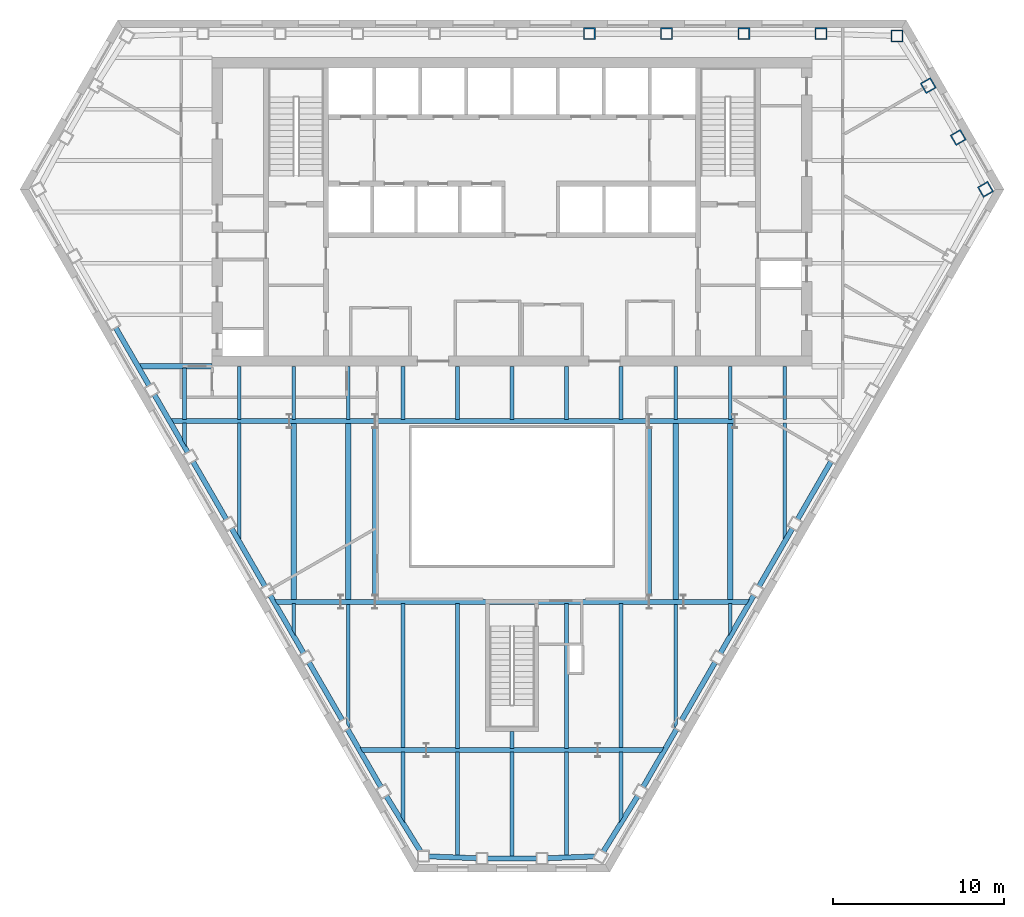
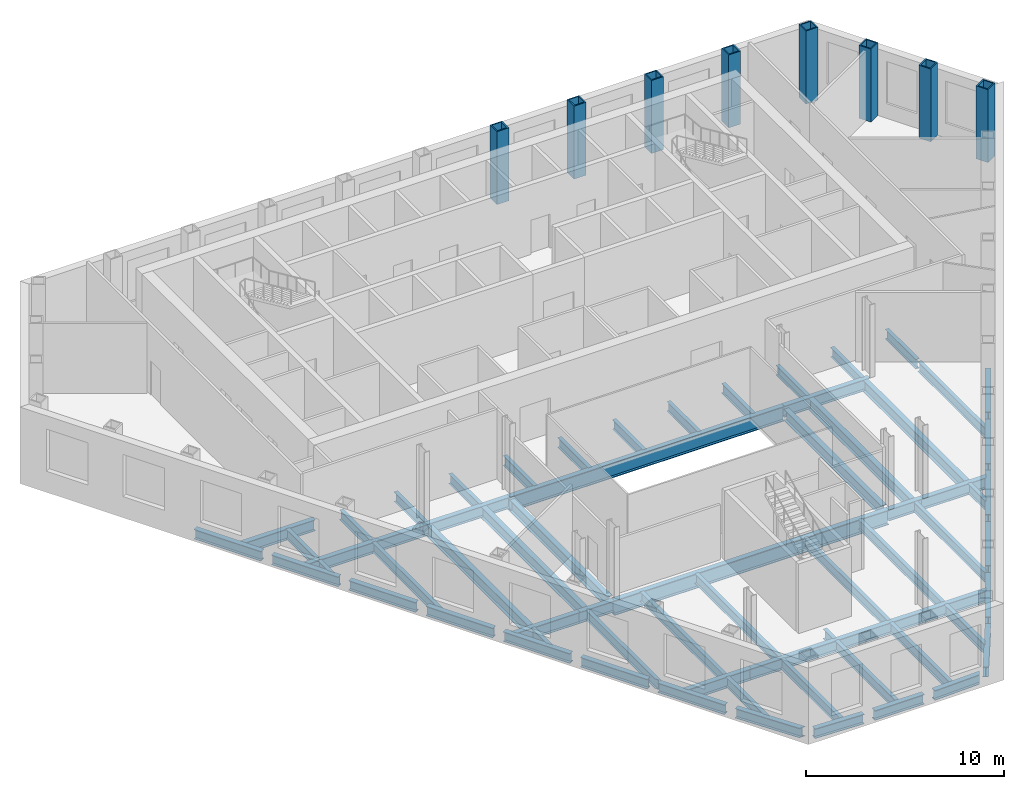
# One storey, part 2 of 10: 65 beams, 8 columns.
"""IFC4 building model written with IfcOpenShell, lengths in metres."""

from ifc_helpers import new_model, si_unit, direction, frame, origin, origin_2d, place, context, subcontext, project, spatial, hollow_rectangle, i_section, extrude, clip, halfspace, material, material_profile, profile_set, type_object, element, save


model = new_model("IFC4")

# Units and contexts
model_context = context("Model", 3, precision=1e-05, world=origin(), true_north=direction((0.0, 1.0)))
body_context = subcontext(model_context, "Body", "Model", "MODEL_VIEW")
ifc_project = project(units=[si_unit("LENGTHUNIT", "METRE"), si_unit("AREAUNIT", "SQUARE_METRE"), si_unit("VOLUMEUNIT", "CUBIC_METRE"), si_unit("PLANEANGLEUNIT", "RADIAN"), si_unit("MASSUNIT", "GRAM", prefix="KILO")], contexts=[model_context])

# Site, building, storey
site_placement = place(None, origin())
site = spatial("IfcSite", under=ifc_project, at=site_placement, CompositionType="ELEMENT")
building_placement = place(site_placement, origin())
building = spatial("IfcBuilding", under=site, at=building_placement, Name="Njiva Tower", CompositionType="ELEMENT")
storey_placement = place(building_placement, frame((0.0, 0.0, 55.8)))
storey = spatial("IfcBuildingStorey", under=building, at=storey_placement, Name="L11", CompositionType="ELEMENT", Elevation=55.8)

# Columns
ifc_material = material(Name="Steel S355 J2", Category="steel")
ifc_material_profile_1 = material_profile(ifc_material, hollow_rectangle(XDim=0.7, YDim=0.7, WallThickness=0.07, at=origin_2d()), Name="BOX 700x700x70")
ifc_profile_set_1 = profile_set([ifc_material_profile_1], Name="Steel S355 J2")
column_type = type_object("IfcColumnType", Name="C5 Perimeter tube column BOX 700x700x70", PredefinedType="COLUMN", material=ifc_profile_set_1)
for number, where, z_axis, x_axis, name in (
    (1, (22.461, 19.267, 0.0), (0.0, 0.0, 1.0), (-1.0, 0.0, 0.0), "Perimeter tube column S03-C01"),
    (2, (18.03, 19.4, 0.0), (0.0, 0.0, 1.0), (-1.0, 0.0, 0.0), "Perimeter tube column S03-C02"),
    (3, (13.523, 19.4, 0.0), (0.0, 0.0, 1.0), (-1.0, 0.0, 0.0), "Perimeter tube column S03-C03"),
    (4, (9.015, 19.4, 0.0), (0.0, 0.0, 1.0), (-1.0, 0.0, 0.0), "Perimeter tube column S03-C04"),
    (5, (4.508, 19.4, 0.0), (0.0, 0.0, 1.0), (-1.0, 0.0, 0.0), "Perimeter tube column S03-C05"),
    (6, (27.628, 10.319, 0.0), (0.0, 0.0, 1.0), (-0.5, 0.866025403784, 0.0), "Perimeter tube column S03-C37"),
    (7, (26.034, 13.346, 0.0), (0.0, 0.0, 1.0), (-0.5, 0.866025403784, 0.0), "Perimeter tube column S03-C38"),
    (8, (24.286, 16.373, 0.0), (0.0, 0.0, 1.0), (-0.5, 0.866025403784, 0.0), "Perimeter tube column S03-C39"),
):
    element("IfcColumn", number, at=place(storey_placement, frame(where, z_axis=z_axis, x_axis=x_axis)), inside=storey, type_object=column_type, Name=name, PredefinedType="COLUMN", context=body_context, shape_type="SweptSolid", body=[
        extrude(hollow_rectangle(XDim=0.7, YDim=0.7, WallThickness=0.07, at=origin_2d()), origin(), (0.0, 0.0, 1.0), 4.5),
    ])

# Beams
ifc_material_profile_2 = material_profile(ifc_material, i_section(OverallWidth=0.3, OverallDepth=0.69, WebThickness=0.0145, FlangeThickness=0.027, at=origin_2d()), Name="HEA 700")
ifc_profile_set_2 = profile_set([ifc_material_profile_2], Name="Steel S355 J2")
beam_type_1 = type_object("IfcBeamType", Name="B12 Long-span floor joist HEA 700", PredefinedType="JOIST", material=ifc_profile_set_2)
for number, where, z_axis, x_axis, name in (
    (9, (-12.733, -3.3, -0.545), (0.0, -1.0, 0.0), (1.0, 0.0, 0.0), "Long-span floor joist S03-B065"),
    (10, (-9.55, -3.3, -0.545), (0.0, -1.0, 0.0), (1.0, 0.0, 0.0), "Long-span floor joist S03-B069"),
    (11, (9.55, -3.3, -0.545), (0.0, -1.0, 0.0), (1.0, 0.0, 0.0), "Long-span floor joist S03-B088"),
    (12, (12.733, -3.3, -0.545), (0.0, -1.0, 0.0), (1.0, 0.0, 0.0), "Long-span floor joist S03-B091"),
):
    element("IfcBeam", number, at=place(storey_placement, frame(where, z_axis=z_axis, x_axis=x_axis)), inside=storey, type_object=beam_type_1, Name=name, PredefinedType="JOIST", context=body_context, shape_type="SweptSolid", body=[
        extrude(i_section(OverallWidth=0.3, OverallDepth=0.69, WebThickness=0.0145, FlangeThickness=0.027, at=origin_2d()), origin(), (0.0, 0.0, 1.0), 10.35),
    ])
ifc_material_profile_3 = material_profile(ifc_material, i_section(OverallWidth=0.22, OverallDepth=0.6, WebThickness=0.012, FlangeThickness=0.019, at=origin_2d()), Name="IPE 600")
ifc_profile_set_3 = profile_set([ifc_material_profile_3], Name="Steel S355 J2")
beam_type_2 = type_object("IfcBeamType", Name="B13 Floor joist IPE 600", PredefinedType="JOIST", material=ifc_profile_set_3)
beam_1_placement = place(storey_placement, frame((-15.917, -3.3, -0.5), z_axis=(0.0, -1.0, 0.0), x_axis=(1.0, 0.0, 0.0)))
element("IfcBeam", 13, at=beam_1_placement, inside=storey, type_object=beam_type_2, Name="Floor joist S03-B062", PredefinedType="JOIST", context=body_context, shape_type="Clipping", body=[
    clip(extrude(i_section(OverallWidth=0.22, OverallDepth=0.6, WebThickness=0.012, FlangeThickness=0.019, at=origin_2d()), origin(), (0.0, 0.0, 1.0), 6.942), halfspace(frame((-0.043, 0.0, 6.6564), z_axis=(-0.866026552831, 0.0, 0.499998009787), x_axis=(0.0, 1.0, 0.0)), False)),
])
beam_2_placement = place(storey_placement, frame((-9.55, -13.85, -0.5), z_axis=(0.0, -1.0, 0.0), x_axis=(1.0, 0.0, 0.0)))
element("IfcBeam", 14, at=beam_2_placement, inside=storey, type_object=beam_type_2, Name="Floor joist S03-B068", PredefinedType="JOIST", context=body_context, shape_type="Clipping", body=[
    clip(extrude(i_section(OverallWidth=0.22, OverallDepth=0.6, WebThickness=0.012, FlangeThickness=0.019, at=origin_2d()), origin(), (0.0, 0.0, 1.0), 7.42), halfspace(frame((-0.0433, 0.0, 7.1338), z_axis=(-0.866026552831, 0.0, 0.499998009787), x_axis=(0.0, 1.0, 0.0)), False)),
])
for number, where, z_axis, x_axis, name in (
    (15, (-6.367, -13.851, -0.5), (0.0, -1.0, 0.0), (1.0, 0.0, 0.0), "Floor joist S03-B072"),
    (16, (-3.183, -13.851, -0.5), (0.0, -1.0, 0.0), (1.0, 0.0, 0.0), "Floor joist S03-B075"),
):
    element("IfcBeam", number, at=place(storey_placement, frame(where, z_axis=z_axis, x_axis=x_axis)), inside=storey, type_object=beam_type_2, Name=name, PredefinedType="JOIST", context=body_context, shape_type="SweptSolid", body=[
        extrude(i_section(OverallWidth=0.22, OverallDepth=0.6, WebThickness=0.012, FlangeThickness=0.019, at=origin_2d()), origin(), (0.0, 0.0, 1.0), 8.449),
    ])
beam_3_placement = place(storey_placement, frame((-3.183, -22.5, -0.5), z_axis=(0.0, -1.0, 0.0), x_axis=(1.0, 0.0, 0.0)))
element("IfcBeam", 17, at=beam_3_placement, inside=storey, type_object=beam_type_2, Name="Floor joist S03-B074", PredefinedType="JOIST", context=body_context, shape_type="SweptSolid", body=[
    extrude(i_section(OverallWidth=0.22, OverallDepth=0.6, WebThickness=0.012, FlangeThickness=0.019, at=origin_2d()), origin(), (0.0, 0.0, 1.0), 6.059),
])
beam_4_placement = place(storey_placement, frame((0.0, -22.5, -0.5), z_axis=(0.0, -1.0, 0.0), x_axis=(1.0, 0.0, 0.0)))
element("IfcBeam", 18, at=beam_4_placement, inside=storey, type_object=beam_type_2, Name="Floor joist S03-B077", PredefinedType="JOIST", context=body_context, shape_type="SweptSolid", body=[
    extrude(i_section(OverallWidth=0.22, OverallDepth=0.6, WebThickness=0.012, FlangeThickness=0.019, at=origin_2d()), origin(), (0.0, 0.0, 1.0), 6.119),
])
beam_5_placement = place(storey_placement, frame((3.183, -13.851, -0.5), z_axis=(0.0, -1.0, 0.0), x_axis=(1.0, 0.0, 0.0)))
element("IfcBeam", 19, at=beam_5_placement, inside=storey, type_object=beam_type_2, Name="Floor joist S03-B081", PredefinedType="JOIST", context=body_context, shape_type="SweptSolid", body=[
    extrude(i_section(OverallWidth=0.22, OverallDepth=0.6, WebThickness=0.012, FlangeThickness=0.019, at=origin_2d()), origin(), (0.0, 0.0, 1.0), 8.449),
])
beam_6_placement = place(storey_placement, frame((3.183, -22.5, -0.5), z_axis=(0.0, -1.0, 0.0), x_axis=(1.0, 0.0, 0.0)))
element("IfcBeam", 20, at=beam_6_placement, inside=storey, type_object=beam_type_2, Name="Floor joist S03-B080", PredefinedType="JOIST", context=body_context, shape_type="SweptSolid", body=[
    extrude(i_section(OverallWidth=0.22, OverallDepth=0.6, WebThickness=0.012, FlangeThickness=0.019, at=origin_2d()), origin(), (0.0, 0.0, 1.0), 6.059),
])
beam_7_placement = place(storey_placement, frame((6.367, -13.851, -0.5), z_axis=(0.0, -1.0, 0.0), x_axis=(1.0, 0.0, 0.0)))
element("IfcBeam", 21, at=beam_7_placement, inside=storey, type_object=beam_type_2, Name="Floor joist S03-B084", PredefinedType="JOIST", context=body_context, shape_type="SweptSolid", body=[
    extrude(i_section(OverallWidth=0.22, OverallDepth=0.6, WebThickness=0.012, FlangeThickness=0.019, at=origin_2d()), origin(), (0.0, 0.0, 1.0), 8.449),
])
beam_8_placement = place(storey_placement, frame((9.55, -13.85, -0.5), z_axis=(0.0, -1.0, 0.0), x_axis=(1.0, 0.0, 0.0)))
element("IfcBeam", 22, at=beam_8_placement, inside=storey, type_object=beam_type_2, Name="Floor joist S03-B087", PredefinedType="JOIST", context=body_context, shape_type="Clipping", body=[
    clip(extrude(i_section(OverallWidth=0.22, OverallDepth=0.6, WebThickness=0.012, FlangeThickness=0.019, at=origin_2d()), origin(), (0.0, 0.0, 1.0), 7.42), halfspace(frame((0.0433, 0.0, 7.1338), z_axis=(0.866026552831, 0.0, 0.499998009787), x_axis=(0.0, 1.0, 0.0)), False)),
])
beam_9_placement = place(storey_placement, frame((15.917, -3.3, -0.5), z_axis=(0.0, -1.0, 0.0), x_axis=(1.0, 0.0, 0.0)))
element("IfcBeam", 23, at=beam_9_placement, inside=storey, type_object=beam_type_2, Name="Floor joist S03-B093", PredefinedType="JOIST", context=body_context, shape_type="Clipping", body=[
    clip(extrude(i_section(OverallWidth=0.22, OverallDepth=0.6, WebThickness=0.012, FlangeThickness=0.019, at=origin_2d()), origin(), (0.0, 0.0, 1.0), 6.942), halfspace(frame((0.043, 0.0, 6.6564), z_axis=(0.866026552831, 0.0, 0.499998009787), x_axis=(0.0, 1.0, 0.0)), False)),
])
ifc_material_profile_4 = material_profile(ifc_material, i_section(OverallWidth=0.22, OverallDepth=0.6, WebThickness=0.012, FlangeThickness=0.019, at=origin_2d()), Name="IPE 600")
ifc_profile_set_4 = profile_set([ifc_material_profile_4], Name="Steel S355 J2")
beam_type_3 = type_object("IfcBeamType", Name="B14 Short-span floor joist IPE 600", PredefinedType="JOIST", material=ifc_profile_set_4)
beam_10_placement = place(storey_placement, frame((-19.1, -0.1, -0.5), z_axis=(0.0, -1.0, 0.0), x_axis=(1.0, 0.0, 0.0)))
element("IfcBeam", 24, at=beam_10_placement, inside=storey, type_object=beam_type_3, Name="Short-span floor joist S03-B061", PredefinedType="JOIST", context=body_context, shape_type="SweptSolid", body=[
    extrude(i_section(OverallWidth=0.22, OverallDepth=0.6, WebThickness=0.012, FlangeThickness=0.019, at=origin_2d()), origin(), (0.0, 0.0, 1.0), 3.0),
])
beam_11_placement = place(storey_placement, frame((-19.1, -3.3, -0.5), z_axis=(0.0, -1.0, 0.0), x_axis=(1.0, 0.0, 0.0)))
element("IfcBeam", 25, at=beam_11_placement, inside=storey, type_object=beam_type_3, Name="Short-span floor joist S03-B060", PredefinedType="JOIST", context=body_context, shape_type="Clipping", body=[
    clip(extrude(i_section(OverallWidth=0.22, OverallDepth=0.6, WebThickness=0.012, FlangeThickness=0.019, at=origin_2d()), origin(), (0.0, 0.0, 1.0), 1.429), halfspace(frame((-0.0433, 0.0, 1.1427), z_axis=(-0.866026552831, 0.0, 0.499998009787), x_axis=(0.0, 1.0, 0.0)), False)),
])
for number, where, z_axis, x_axis, name in (
    (26, (-15.917, -0.005, -0.5), (0.0, -1.0, 0.0), (1.0, 0.0, 0.0), "Short-span floor joist S03-B063"),
    (27, (-12.733, -0.005, -0.5), (0.0, -1.0, 0.0), (1.0, 0.0, 0.0), "Short-span floor joist S03-B066"),
):
    element("IfcBeam", number, at=place(storey_placement, frame(where, z_axis=z_axis, x_axis=x_axis)), inside=storey, type_object=beam_type_3, Name=name, PredefinedType="JOIST", context=body_context, shape_type="SweptSolid", body=[
        extrude(i_section(OverallWidth=0.22, OverallDepth=0.6, WebThickness=0.012, FlangeThickness=0.019, at=origin_2d()), origin(), (0.0, 0.0, 1.0), 3.095),
    ])
beam_12_placement = place(storey_placement, frame((-12.733, -13.85, -0.5), z_axis=(0.0, -1.0, 0.0), x_axis=(1.0, 0.0, 0.0)))
element("IfcBeam", 28, at=beam_12_placement, inside=storey, type_object=beam_type_3, Name="Short-span floor joist S03-B064", PredefinedType="JOIST", context=body_context, shape_type="Clipping", body=[
    clip(extrude(i_section(OverallWidth=0.22, OverallDepth=0.6, WebThickness=0.012, FlangeThickness=0.019, at=origin_2d()), origin(), (0.0, 0.0, 1.0), 1.906), halfspace(frame((-0.0436, 0.0, 1.6201), z_axis=(-0.866026552831, 0.0, 0.499998009787), x_axis=(0.0, 1.0, 0.0)), False)),
])
beam_13_placement = place(storey_placement, frame((-9.55, -0.005, -0.5), z_axis=(0.0, -1.0, 0.0), x_axis=(1.0, 0.0, 0.0)))
element("IfcBeam", 29, at=beam_13_placement, inside=storey, type_object=beam_type_3, Name="Short-span floor joist S03-B070", PredefinedType="JOIST", context=body_context, shape_type="SweptSolid", body=[
    extrude(i_section(OverallWidth=0.22, OverallDepth=0.6, WebThickness=0.012, FlangeThickness=0.019, at=origin_2d()), origin(), (0.0, 0.0, 1.0), 3.095),
])
beam_14_placement = place(storey_placement, frame((-6.367, -0.005, -0.5), z_axis=(0.0, -1.0, 0.0), x_axis=(1.0, 0.0, 0.0)))
element("IfcBeam", 30, at=beam_14_placement, inside=storey, type_object=beam_type_3, Name="Short-span floor joist S03-B073", PredefinedType="JOIST", context=body_context, shape_type="SweptSolid", body=[
    extrude(i_section(OverallWidth=0.22, OverallDepth=0.6, WebThickness=0.012, FlangeThickness=0.019, at=origin_2d()), origin(), (0.0, 0.0, 1.0), 3.094),
])
beam_15_placement = place(storey_placement, frame((-6.367, -22.5, -0.5), z_axis=(0.0, -1.0, 0.0), x_axis=(1.0, 0.0, 0.0)))
element("IfcBeam", 31, at=beam_15_placement, inside=storey, type_object=beam_type_3, Name="Short-span floor joist S03-B071", PredefinedType="JOIST", context=body_context, shape_type="Clipping", body=[
    clip(extrude(i_section(OverallWidth=0.22, OverallDepth=0.6, WebThickness=0.012, FlangeThickness=0.019, at=origin_2d()), origin(), (0.0, 0.0, 1.0), 4.151), halfspace(frame((-0.0422, 0.0, 3.8844), z_axis=(-0.850620428373, 0.0, 0.525780264783), x_axis=(0.0, 1.0, 0.0)), False)),
])
for number, where, z_axis, x_axis, name in (
    (32, (-3.183, -0.005, -0.5), (0.0, -1.0, 0.0), (1.0, 0.0, 0.0), "Short-span floor joist S03-B076"),
    (33, (0.0, -0.005, -0.5), (0.0, -1.0, 0.0), (1.0, 0.0, 0.0), "Short-span floor joist S03-B079"),
):
    element("IfcBeam", number, at=place(storey_placement, frame(where, z_axis=z_axis, x_axis=x_axis)), inside=storey, type_object=beam_type_3, Name=name, PredefinedType="JOIST", context=body_context, shape_type="SweptSolid", body=[
        extrude(i_section(OverallWidth=0.22, OverallDepth=0.6, WebThickness=0.012, FlangeThickness=0.019, at=origin_2d()), origin(), (0.0, 0.0, 1.0), 3.094),
    ])
beam_16_placement = place(storey_placement, frame((0.0, -21.3, -0.5), z_axis=(0.0, -1.0, 0.0), x_axis=(1.0, 0.0, 0.0)))
element("IfcBeam", 34, at=beam_16_placement, inside=storey, type_object=beam_type_3, Name="Short-span floor joist S03-B078", PredefinedType="JOIST", context=body_context, shape_type="SweptSolid", body=[
    extrude(i_section(OverallWidth=0.22, OverallDepth=0.6, WebThickness=0.012, FlangeThickness=0.019, at=origin_2d()), origin(), (0.0, 0.0, 1.0), 1.0),
])
for number, where, z_axis, x_axis, name in (
    (35, (3.183, -0.005, -0.5), (0.0, -1.0, 0.0), (1.0, 0.0, 0.0), "Short-span floor joist S03-B082"),
    (36, (6.367, -0.005, -0.5), (0.0, -1.0, 0.0), (1.0, 0.0, 0.0), "Short-span floor joist S03-B085"),
):
    element("IfcBeam", number, at=place(storey_placement, frame(where, z_axis=z_axis, x_axis=x_axis)), inside=storey, type_object=beam_type_3, Name=name, PredefinedType="JOIST", context=body_context, shape_type="SweptSolid", body=[
        extrude(i_section(OverallWidth=0.22, OverallDepth=0.6, WebThickness=0.012, FlangeThickness=0.019, at=origin_2d()), origin(), (0.0, 0.0, 1.0), 3.094),
    ])
beam_17_placement = place(storey_placement, frame((6.367, -22.5, -0.5), z_axis=(0.0, -1.0, 0.0), x_axis=(1.0, 0.0, 0.0)))
element("IfcBeam", 37, at=beam_17_placement, inside=storey, type_object=beam_type_3, Name="Short-span floor joist S03-B083", PredefinedType="JOIST", context=body_context, shape_type="Clipping", body=[
    clip(extrude(i_section(OverallWidth=0.22, OverallDepth=0.6, WebThickness=0.012, FlangeThickness=0.019, at=origin_2d()), origin(), (0.0, 0.0, 1.0), 4.151), halfspace(frame((0.0422, 0.0, 3.8844), z_axis=(0.850620428373, 0.0, 0.525780264783), x_axis=(0.0, 1.0, 0.0)), False)),
])
for number, where, z_axis, x_axis, name in (
    (38, (9.55, -0.005, -0.5), (0.0, -1.0, 0.0), (1.0, 0.0, 0.0), "Short-span floor joist S03-B089"),
    (39, (12.733, -0.005, -0.5), (0.0, -1.0, 0.0), (1.0, 0.0, 0.0), "Short-span floor joist S03-B092"),
):
    element("IfcBeam", number, at=place(storey_placement, frame(where, z_axis=z_axis, x_axis=x_axis)), inside=storey, type_object=beam_type_3, Name=name, PredefinedType="JOIST", context=body_context, shape_type="SweptSolid", body=[
        extrude(i_section(OverallWidth=0.22, OverallDepth=0.6, WebThickness=0.012, FlangeThickness=0.019, at=origin_2d()), origin(), (0.0, 0.0, 1.0), 3.095),
    ])
beam_18_placement = place(storey_placement, frame((12.733, -13.85, -0.5), z_axis=(0.0, -1.0, 0.0), x_axis=(1.0, 0.0, 0.0)))
element("IfcBeam", 40, at=beam_18_placement, inside=storey, type_object=beam_type_3, Name="Short-span floor joist S03-B090", PredefinedType="JOIST", context=body_context, shape_type="Clipping", body=[
    clip(extrude(i_section(OverallWidth=0.22, OverallDepth=0.6, WebThickness=0.012, FlangeThickness=0.019, at=origin_2d()), origin(), (0.0, 0.0, 1.0), 1.906), halfspace(frame((0.0436, 0.0, 1.6201), z_axis=(0.866026552831, 0.0, 0.499998009787), x_axis=(0.0, 1.0, 0.0)), False)),
])
beam_19_placement = place(storey_placement, frame((15.917, -0.005, -0.5), z_axis=(0.0, -1.0, 0.0), x_axis=(1.0, 0.0, 0.0)))
element("IfcBeam", 41, at=beam_19_placement, inside=storey, type_object=beam_type_3, Name="Short-span floor joist S03-B094", PredefinedType="JOIST", context=body_context, shape_type="SweptSolid", body=[
    extrude(i_section(OverallWidth=0.22, OverallDepth=0.6, WebThickness=0.012, FlangeThickness=0.019, at=origin_2d()), origin(), (0.0, 0.0, 1.0), 3.095),
])
ifc_material_profile_5 = material_profile(ifc_material, i_section(OverallWidth=0.3, OverallDepth=0.69, WebThickness=0.0145, FlangeThickness=0.027, at=origin_2d()), Name="HEA 700")
ifc_profile_set_5 = profile_set([ifc_material_profile_5], Name="Steel S355 J2")
beam_type_4 = type_object("IfcBeamType", Name="B15 Floor girder HEA 700", PredefinedType="BEAM", material=ifc_profile_set_5)
beam_20_placement = place(storey_placement, frame((-19.968, -3.2, -0.545), z_axis=(1.0, 0.0, 0.0), x_axis=(0.0, 1.0, 0.0)))
element("IfcBeam", 42, at=beam_20_placement, inside=storey, type_object=beam_type_4, Name="Floor girder S03-B016", PredefinedType="BEAM", context=body_context, shape_type="Clipping", body=[
    clip(extrude(i_section(OverallWidth=0.3, OverallDepth=0.69, WebThickness=0.0145, FlangeThickness=0.027, at=origin_2d()), origin(), (0.0, 0.0, 1.0), 6.968), halfspace(frame((-0.025, 0.0, 0.1217), z_axis=(-0.499998009787, 0.0, -0.866026552831), x_axis=(0.0, -1.0, 0.0)), False)),
])
for number, where, z_axis, x_axis, name in (
    (43, (-13.0, -3.2, -0.545), (1.0, 0.0, 0.0), (0.0, 1.0, 0.0), "Floor girder S03-B018"),
    (44, (8.0, -3.2, -0.545), (1.0, 0.0, 0.0), (0.0, 1.0, 0.0), "Floor girder S03-B024"),
):
    element("IfcBeam", number, at=place(storey_placement, frame(where, z_axis=z_axis, x_axis=x_axis)), inside=storey, type_object=beam_type_4, Name=name, PredefinedType="BEAM", context=body_context, shape_type="SweptSolid", body=[
        extrude(i_section(OverallWidth=0.3, OverallDepth=0.69, WebThickness=0.0145, FlangeThickness=0.027, at=origin_2d()), origin(), (0.0, 0.0, 1.0), 5.0),
    ])
ifc_material_profile_6 = material_profile(ifc_material, i_section(OverallWidth=0.3, OverallDepth=0.69, WebThickness=0.0145, FlangeThickness=0.027, at=origin_2d()), Name="HEA 700")
ifc_profile_set_6 = profile_set([ifc_material_profile_6], Name="Steel S355 J2")
beam_type_5 = type_object("IfcBeamType", Name="B16 Short-span floor girder HEA 700", PredefinedType="BEAM", material=ifc_profile_set_6)
beam_21_placement = place(storey_placement, frame((-13.877, -13.75, -0.545), z_axis=(1.0, 0.0, 0.0), x_axis=(0.0, 1.0, 0.0)))
element("IfcBeam", 45, at=beam_21_placement, inside=storey, type_object=beam_type_5, Name="Short-span floor girder S03-B017", PredefinedType="BEAM", context=body_context, shape_type="Clipping", body=[
    clip(extrude(i_section(OverallWidth=0.3, OverallDepth=0.69, WebThickness=0.0145, FlangeThickness=0.027, at=origin_2d()), origin(), (0.0, 0.0, 1.0), 3.877), halfspace(frame((-0.025, 0.0, 0.1217), z_axis=(-0.499998009787, 0.0, -0.866026552831), x_axis=(0.0, -1.0, 0.0)), False)),
])
for number, where, z_axis, x_axis, name in (
    (46, (-10.0, -13.75, -0.545), (1.0, 0.0, 0.0), (0.0, 1.0, 0.0), "Short-span floor girder S03-B019"),
    (47, (8.0, -13.75, -0.545), (1.0, 0.0, 0.0), (0.0, 1.0, 0.0), "Short-span floor girder S03-B023"),
):
    element("IfcBeam", number, at=place(storey_placement, frame(where, z_axis=z_axis, x_axis=x_axis)), inside=storey, type_object=beam_type_5, Name=name, PredefinedType="BEAM", context=body_context, shape_type="SweptSolid", body=[
        extrude(i_section(OverallWidth=0.3, OverallDepth=0.69, WebThickness=0.0145, FlangeThickness=0.027, at=origin_2d()), origin(), (0.0, 0.0, 1.0), 2.0),
    ])
beam_22_placement = place(storey_placement, frame((10.0, -13.75, -0.545), z_axis=(1.0, 0.0, 0.0), x_axis=(0.0, 1.0, 0.0)))
element("IfcBeam", 48, at=beam_22_placement, inside=storey, type_object=beam_type_5, Name="Short-span floor girder S03-B025", PredefinedType="BEAM", context=body_context, shape_type="Clipping", body=[
    clip(extrude(i_section(OverallWidth=0.3, OverallDepth=0.69, WebThickness=0.0145, FlangeThickness=0.027, at=origin_2d()), origin(), (0.0, 0.0, 1.0), 3.877), halfspace(frame((-0.025, 0.0, 3.7553), z_axis=(-0.499998009787, 0.0, 0.866026552831), x_axis=(0.0, 1.0, 0.0)), False)),
])
beam_23_placement = place(storey_placement, frame((-8.883, -22.4, -0.545), z_axis=(1.0, 0.0, 0.0), x_axis=(0.0, 1.0, 0.0)))
element("IfcBeam", 49, at=beam_23_placement, inside=storey, type_object=beam_type_5, Name="Short-span floor girder S03-B020", PredefinedType="BEAM", context=body_context, shape_type="Clipping", body=[
    clip(extrude(i_section(OverallWidth=0.3, OverallDepth=0.69, WebThickness=0.0145, FlangeThickness=0.027, at=origin_2d()), origin(), (0.0, 0.0, 1.0), 3.883), halfspace(frame((-0.025, 0.0, 0.1218), z_axis=(-0.499998009787, 0.0, -0.866026552831), x_axis=(0.0, -1.0, 0.0)), False)),
])
beam_24_placement = place(storey_placement, frame((5.0, -22.4, -0.545), z_axis=(1.0, 0.0, 0.0), x_axis=(0.0, 1.0, 0.0)))
element("IfcBeam", 50, at=beam_24_placement, inside=storey, type_object=beam_type_5, Name="Short-span floor girder S03-B022", PredefinedType="BEAM", context=body_context, shape_type="Clipping", body=[
    clip(extrude(i_section(OverallWidth=0.3, OverallDepth=0.69, WebThickness=0.0145, FlangeThickness=0.027, at=origin_2d()), origin(), (0.0, 0.0, 1.0), 3.883), halfspace(frame((-0.025, 0.0, 3.7612), z_axis=(-0.499998009787, 0.0, 0.866026552831), x_axis=(0.0, 1.0, 0.0)), False)),
])
beam_25_placement = place(storey_placement, frame((-21.815, 0.0, -0.545), z_axis=(1.0, 0.0, 0.0), x_axis=(0.0, 1.0, 0.0)))
element("IfcBeam", 51, at=beam_25_placement, inside=storey, type_object=beam_type_5, Name="Short-span floor girder S03-B015", PredefinedType="BEAM", context=body_context, shape_type="Clipping", body=[
    clip(extrude(i_section(OverallWidth=0.3, OverallDepth=0.69, WebThickness=0.0145, FlangeThickness=0.027, at=origin_2d()), origin(), (0.0, 0.0, 1.0), 4.315), halfspace(frame((-0.025, 0.0, 0.1211), z_axis=(-0.499998009787, 0.0, -0.866026552831), x_axis=(0.0, -1.0, 0.0)), False)),
])
ifc_material_profile_7 = material_profile(ifc_material, i_section(OverallWidth=0.3, OverallDepth=0.69, WebThickness=0.0145, FlangeThickness=0.027, at=origin_2d()), Name="HEA 700")
ifc_profile_set_7 = profile_set([ifc_material_profile_7], Name="Steel S355 J2")
beam_type_6 = type_object("IfcBeamType", Name="B17 Long-span floor girder HEA 700", PredefinedType="BEAM", material=ifc_profile_set_7)
beam_26_placement = place(storey_placement, frame((-5.0, -22.4, -0.545), z_axis=(1.0, 0.0, 0.0), x_axis=(0.0, 1.0, 0.0)))
element("IfcBeam", 52, at=beam_26_placement, inside=storey, type_object=beam_type_6, Name="Long-span floor girder S03-B021", PredefinedType="BEAM", context=body_context, shape_type="SweptSolid", body=[
    extrude(i_section(OverallWidth=0.3, OverallDepth=0.69, WebThickness=0.0145, FlangeThickness=0.027, at=origin_2d()), origin(), (0.0, 0.0, 1.0), 10.0),
])
ifc_material_profile_8 = material_profile(ifc_material, i_section(OverallWidth=0.3, OverallDepth=0.69, WebThickness=0.0145, FlangeThickness=0.027, at=origin_2d()), Name="HEA 700")
ifc_profile_set_8 = profile_set([ifc_material_profile_8], Name="Steel S355 J2")
beam_type_7 = type_object("IfcBeamType", Name="B18 Long-span atrium trimmer beam HEA 700", PredefinedType="BEAM", material=ifc_profile_set_8)
for number, where, z_axis, x_axis, name in (
    (53, (8.0, -13.393, -0.545), (0.0, 1.0, 0.0), (-1.0, 0.0, 0.0), "Long-span atrium trimmer beam S03-B102"),
    (54, (-8.0, -3.557, -0.545), (0.0, -1.0, 0.0), (1.0, 0.0, 0.0), "Long-span atrium trimmer beam S03-B099"),
):
    element("IfcBeam", number, at=place(storey_placement, frame(where, z_axis=z_axis, x_axis=x_axis)), inside=storey, type_object=beam_type_7, Name=name, PredefinedType="BEAM", context=body_context, shape_type="SweptSolid", body=[
        extrude(i_section(OverallWidth=0.3, OverallDepth=0.69, WebThickness=0.0145, FlangeThickness=0.027, at=origin_2d()), origin(), (0.0, 0.0, 1.0), 9.836),
    ])
ifc_material_profile_9 = material_profile(ifc_material, i_section(OverallWidth=0.3, OverallDepth=0.6, WebThickness=0.0155, FlangeThickness=0.03, at=origin_2d()), Name="HEB 600")
ifc_profile_set_9 = profile_set([ifc_material_profile_9], Name="Steel S355 J2")
beam_type_8 = type_object("IfcBeamType", Name="B3 Short-span spandrel beam HEB 600", PredefinedType="SPANDREL", material=ifc_profile_set_9)
beam_27_placement = place(storey_placement, frame((-23.124, 2.251, -0.5), z_axis=(0.500047346826, -0.865998066356, 0.0), x_axis=(0.865998066356, 0.500047346826, 0.0)))
element("IfcBeam", 55, at=beam_27_placement, inside=storey, type_object=beam_type_8, Name="Short-span spandrel beam S03-B113", PredefinedType="SPANDREL", context=body_context, shape_type="SweptSolid", body=[
    extrude(i_section(OverallWidth=0.3, OverallDepth=0.6, WebThickness=0.0155, FlangeThickness=0.03, at=origin_2d()), origin(), (0.0, 0.0, 1.0), 3.9076),
])
beam_28_placement = place(storey_placement, frame((-20.87, -1.653, -0.5), z_axis=(0.500158186394, -0.865934055563, 0.0), x_axis=(0.865934055563, 0.500158186394, 0.0)))
element("IfcBeam", 56, at=beam_28_placement, inside=storey, type_object=beam_type_8, Name="Short-span spandrel beam S03-B117", PredefinedType="SPANDREL", context=body_context, shape_type="SweptSolid", body=[
    extrude(i_section(OverallWidth=0.3, OverallDepth=0.6, WebThickness=0.0155, FlangeThickness=0.03, at=origin_2d()), origin(), (0.0, 0.0, 1.0), 3.9068),
])
for number, where, z_axis, x_axis, name in (
    (57, (-18.616, -5.556, -0.5), (0.500047346826, -0.865998066356, 0.0), (0.865998066356, 0.500047346826, 0.0), "Short-span spandrel beam S03-B119"),
    (58, (-16.362, -9.46, -0.5), (0.500047346826, -0.865998066356, 0.0), (0.865998066356, 0.500047346826, 0.0), "Short-span spandrel beam S03-B123"),
):
    element("IfcBeam", number, at=place(storey_placement, frame(where, z_axis=z_axis, x_axis=x_axis)), inside=storey, type_object=beam_type_8, Name=name, PredefinedType="SPANDREL", context=body_context, shape_type="SweptSolid", body=[
        extrude(i_section(OverallWidth=0.3, OverallDepth=0.6, WebThickness=0.0155, FlangeThickness=0.03, at=origin_2d()), origin(), (0.0, 0.0, 1.0), 3.9076),
    ])
beam_29_placement = place(storey_placement, frame((-14.108, -13.364, -0.5), z_axis=(0.499966215292, -0.866044908516, 0.0), x_axis=(0.866044908516, 0.499966215292, 0.0)))
element("IfcBeam", 59, at=beam_29_placement, inside=storey, type_object=beam_type_8, Name="Short-span spandrel beam S03-B125", PredefinedType="SPANDREL", context=body_context, shape_type="SweptSolid", body=[
    extrude(i_section(OverallWidth=0.3, OverallDepth=0.6, WebThickness=0.0155, FlangeThickness=0.03, at=origin_2d()), origin(), (0.0, 0.0, 1.0), 3.9063),
])
for number, where, z_axis, x_axis, name in (
    (60, (-11.855, -17.267, -0.5), (0.500047346826, -0.865998066356, 0.0), (0.865998066356, 0.500047346826, 0.0), "Short-span spandrel beam S03-B129"),
    (61, (-9.601, -21.171, -0.5), (0.500047346826, -0.865998066356, 0.0), (0.865998066356, 0.500047346826, 0.0), "Short-span spandrel beam S03-B131"),
):
    element("IfcBeam", number, at=place(storey_placement, frame(where, z_axis=z_axis, x_axis=x_axis)), inside=storey, type_object=beam_type_8, Name=name, PredefinedType="SPANDREL", context=body_context, shape_type="SweptSolid", body=[
        extrude(i_section(OverallWidth=0.3, OverallDepth=0.6, WebThickness=0.0155, FlangeThickness=0.03, at=origin_2d()), origin(), (0.0, 0.0, 1.0), 3.9076),
    ])
beam_30_placement = place(storey_placement, frame((-7.337, -25.073, -0.5), z_axis=(0.525707123984, -0.850665633368, 0.0), x_axis=(0.850665633368, 0.525707123984, 0.0)))
element("IfcBeam", 62, at=beam_30_placement, inside=storey, type_object=beam_type_8, Name="Short-span spandrel beam S03-B134", PredefinedType="SPANDREL", context=body_context, shape_type="Clipping", body=[
    clip(extrude(i_section(OverallWidth=0.3, OverallDepth=0.6, WebThickness=0.0155, FlangeThickness=0.03, at=origin_2d()), origin(), (0.0, 0.0, 1.0), 3.8889), halfspace(frame((-0.0263, 0.0, 3.7596), z_axis=(-0.525707123984, 0.0, 0.850665633368), x_axis=(0.0, 1.0, 0.0)), False)),
])
beam_31_placement = place(storey_placement, frame((-4.861, -28.597, -0.5), z_axis=(0.999233589101, -0.039143765955, 0.0), x_axis=(0.039143765955, 0.999233589101, 0.0)))
element("IfcBeam", 63, at=beam_31_placement, inside=storey, type_object=beam_type_8, Name="Short-span spandrel beam S03-B137", PredefinedType="SPANDREL", context=body_context, shape_type="SweptSolid", body=[
    extrude(i_section(OverallWidth=0.3, OverallDepth=0.6, WebThickness=0.0155, FlangeThickness=0.03, at=origin_2d()), origin(), (0.0, 0.0, 1.0), 2.8102),
])
beam_32_placement = place(storey_placement, frame((-1.448, -28.719, -0.5), z_axis=(1.0, 0.0, 0.0), x_axis=(0.0, 1.0, 0.0)))
element("IfcBeam", 64, at=beam_32_placement, inside=storey, type_object=beam_type_8, Name="Short-span spandrel beam S03-B140", PredefinedType="SPANDREL", context=body_context, shape_type="SweptSolid", body=[
    extrude(i_section(OverallWidth=0.3, OverallDepth=0.6, WebThickness=0.0155, FlangeThickness=0.03, at=origin_2d()), origin(), (0.0, 0.0, 1.0), 2.896),
])
beam_33_placement = place(storey_placement, frame((2.053, -28.707, -0.5), z_axis=(0.999234174403, 0.039128821913, 0.0), x_axis=(-0.039128821913, 0.999234174403, 0.0)))
element("IfcBeam", 65, at=beam_33_placement, inside=storey, type_object=beam_type_8, Name="Short-span spandrel beam S03-B142", PredefinedType="SPANDREL", context=body_context, shape_type="Clipping", body=[
    clip(extrude(i_section(OverallWidth=0.3, OverallDepth=0.6, WebThickness=0.0155, FlangeThickness=0.03, at=origin_2d()), origin(), (0.0, 0.0, 1.0), 2.8751), halfspace(frame((-0.0269, 0.0, 2.7436), z_axis=(-0.53350169727, 0.0, 0.845798994448), x_axis=(0.0, 1.0, 0.0)), False)),
])
beam_34_placement = place(storey_placement, frame((5.326, -28.327, -0.5), z_axis=(0.525715487097, 0.850660464949, 0.0), x_axis=(-0.850660464949, 0.525715487097, 0.0)))
element("IfcBeam", 66, at=beam_34_placement, inside=storey, type_object=beam_type_8, Name="Short-span spandrel beam S03-B146", PredefinedType="SPANDREL", context=body_context, shape_type="SweptSolid", body=[
    extrude(i_section(OverallWidth=0.3, OverallDepth=0.6, WebThickness=0.0155, FlangeThickness=0.03, at=origin_2d()), origin(), (0.0, 0.0, 1.0), 3.8253),
])
for number, where, z_axis, x_axis, name in (
    (67, (7.647, -24.555, -0.5), (0.500047346826, 0.865998066356, 0.0), (-0.865998066356, 0.500047346826, 0.0), "Short-span spandrel beam S03-B148"),
    (68, (9.901, -20.651, -0.5), (0.500047346826, 0.865998066356, 0.0), (-0.865998066356, 0.500047346826, 0.0), "Short-span spandrel beam S03-B152"),
):
    element("IfcBeam", number, at=place(storey_placement, frame(where, z_axis=z_axis, x_axis=x_axis)), inside=storey, type_object=beam_type_8, Name=name, PredefinedType="SPANDREL", context=body_context, shape_type="SweptSolid", body=[
        extrude(i_section(OverallWidth=0.3, OverallDepth=0.6, WebThickness=0.0155, FlangeThickness=0.03, at=origin_2d()), origin(), (0.0, 0.0, 1.0), 3.9076),
    ])
beam_35_placement = place(storey_placement, frame((12.155, -16.747, -0.5), z_axis=(0.499966215292, 0.866044908516, 0.0), x_axis=(-0.866044908516, 0.499966215292, 0.0)))
element("IfcBeam", 69, at=beam_35_placement, inside=storey, type_object=beam_type_8, Name="Short-span spandrel beam S03-B154", PredefinedType="SPANDREL", context=body_context, shape_type="SweptSolid", body=[
    extrude(i_section(OverallWidth=0.3, OverallDepth=0.6, WebThickness=0.0155, FlangeThickness=0.03, at=origin_2d()), origin(), (0.0, 0.0, 1.0), 3.9063),
])
for number, where, z_axis, x_axis, name in (
    (70, (14.408, -12.844, -0.5), (0.500047346826, 0.865998066356, 0.0), (-0.865998066356, 0.500047346826, 0.0), "Short-span spandrel beam S03-B158"),
    (71, (16.662, -8.94, -0.5), (0.500047346826, 0.865998066356, 0.0), (-0.865998066356, 0.500047346826, 0.0), "Short-span spandrel beam S03-B160"),
):
    element("IfcBeam", number, at=place(storey_placement, frame(where, z_axis=z_axis, x_axis=x_axis)), inside=storey, type_object=beam_type_8, Name=name, PredefinedType="SPANDREL", context=body_context, shape_type="SweptSolid", body=[
        extrude(i_section(OverallWidth=0.3, OverallDepth=0.6, WebThickness=0.0155, FlangeThickness=0.03, at=origin_2d()), origin(), (0.0, 0.0, 1.0), 3.9076),
    ])
ifc_material_profile_10 = material_profile(ifc_material, i_section(OverallWidth=0.302, OverallDepth=0.91, WebThickness=0.021, FlangeThickness=0.04, at=origin_2d()), Name="HEM 900")
ifc_profile_set_10 = profile_set([ifc_material_profile_10], Name="Steel S355 J2")
beam_type_9 = type_object("IfcBeamType", Name="B8 Long-span atrium trimmer beam HEM 900", PredefinedType="BEAM", material=ifc_profile_set_10)
for number, where, z_axis, x_axis, name in (
    (72, (-8.0, -13.75, -0.655), (1.0, 0.0, 0.0), (0.0, 1.0, 0.0), "Long-span atrium trimmer beam S03-B098"),
    (73, (8.0, -3.2, -0.655), (-1.0, 0.0, 0.0), (0.0, -1.0, 0.0), "Long-span atrium trimmer beam S03-B100"),
):
    element("IfcBeam", number, at=place(storey_placement, frame(where, z_axis=z_axis, x_axis=x_axis)), inside=storey, type_object=beam_type_9, Name=name, PredefinedType="BEAM", context=body_context, shape_type="SweptSolid", body=[
        extrude(i_section(OverallWidth=0.302, OverallDepth=0.91, WebThickness=0.021, FlangeThickness=0.04, at=origin_2d()), origin(), (0.0, 0.0, 1.0), 16.0),
    ])

save(model, "model.ifc")
